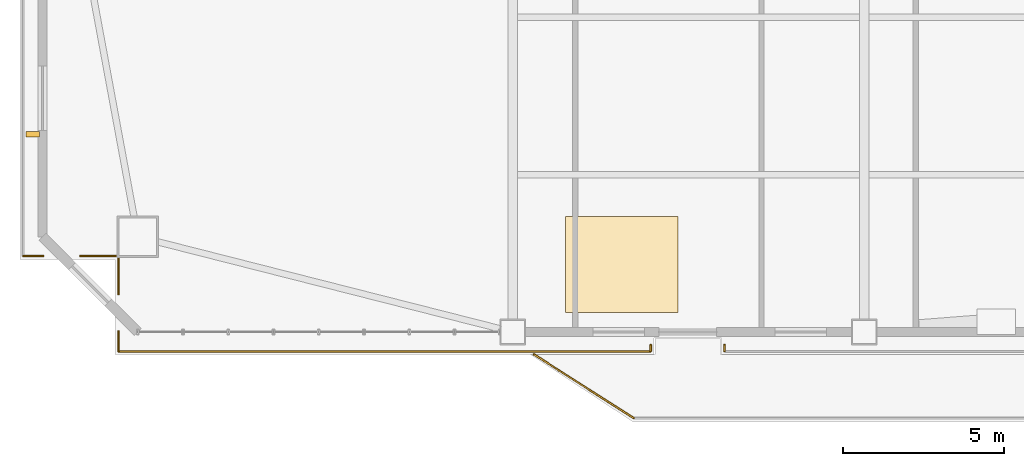
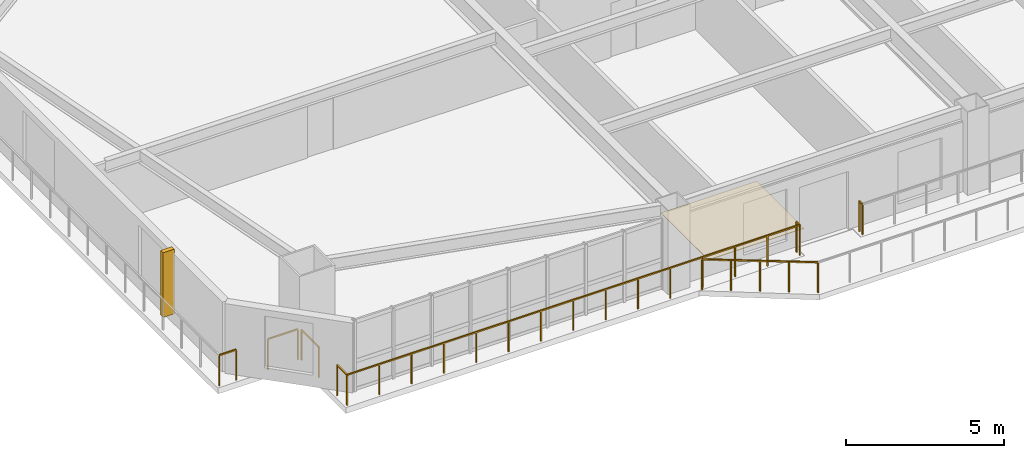
# One storey, part 13 of 17: 8 railings, 1 covering, 1 shading device.
"""IFC4 building model written with IfcOpenShell, lengths in metres."""

from ifc_helpers import new_model, si_unit, direction, frame, origin, origin_2d, place, context, subcontext, project, spatial, polyline, rectangle, outline, extrude, source, transform, mapped, material, layer, layer_set, type_object, element, save


model = new_model("IFC4")

# Units and contexts
model_context = context("Model", 3, precision=1e-05, world=origin(), true_north=direction((0.0, 1.0)))
body_context = subcontext(model_context, "Body", "Model", "MODEL_VIEW")
ifc_project = project(units=[si_unit("LENGTHUNIT", "METRE"), si_unit("AREAUNIT", "SQUARE_METRE"), si_unit("VOLUMEUNIT", "CUBIC_METRE"), si_unit("PLANEANGLEUNIT", "RADIAN"), si_unit("MASSUNIT", "GRAM", prefix="KILO")], contexts=[model_context])

# Site, building, storey
site_placement = place(None, origin())
site = spatial("IfcSite", under=ifc_project, at=site_placement, CompositionType="ELEMENT")
building_placement = place(site_placement, origin())
building = spatial("IfcBuilding", under=site, at=building_placement, Name="Giltprow Tower", CompositionType="ELEMENT")
storey_placement = place(building_placement, frame((0.0, 0.0, 141.199951171875)))
storey = spatial("IfcBuildingStorey", under=building, at=storey_placement, Name="L34", CompositionType="ELEMENT", Elevation=141.199951171875)

# Covering
ifc_material_1 = material(Name="Engineered oak", Category="wood")
ifc_layer = layer(ifc_material_1, 0.02490234375, Name="Engineered oak")
ifc_layer_set = layer_set([ifc_layer], Name="Engineered oak")
covering_type = type_object("IfcCoveringType", Name="COV-FLR-TIMBER", PredefinedType="FLOORING", material=ifc_layer_set)
covering_placement = place(storey_placement, origin())
element("IfcCovering", 1, at=covering_placement, inside=storey, type_object=covering_type, Name="L34 Engineered Oak Guestroom Flooring", PredefinedType="FLOORING", context=body_context, shape_type="SweptSolid", body=[
    extrude(outline(polyline([(21.5, 8.64501953125), (25.0, 8.64501953125), (25.0, 11.64501953125), (21.5, 11.64501953125), (21.5, 8.64501953125)])), origin(), (0.0, 0.0, 1.0), 0.025146484375),
])

# Railings
ifc_material_2 = material(Name="Anodized bronze", Category="metal")
railing_type = type_object("IfcRailingType", Name="RAIL-BALC-GUARD-1200", PredefinedType="BALUSTRADE", material=ifc_material_2)
railing_1_placement = place(storey_placement, frame((20.52001953125, 7.344970703125, 0.0)))
element("IfcRailing", 2, at=railing_1_placement, inside=storey, type_object=railing_type, Name="L34 Waterfront Balcony Balustrade Seg 1", PredefinedType="BALUSTRADE", context=body_context, shape_type="SweptSolid", body=[
    extrude(rectangle(XDim=0.048095703125, YDim=0.048095703125, at=origin_2d()), frame((0.0, 0.0, 1.17578125), z_axis=(0.84277487735, -0.538266203757, 0.0), x_axis=(0.538266203757, 0.84277487735, 0.0)), (0.0, 0.0, 1.0), 3.678466796875),
    extrude(rectangle(XDim=0.0419921875, YDim=0.0419921875, at=origin_2d()), origin(), (0.0, 0.0, 1.0), 1.15185546875),
    extrude(rectangle(XDim=0.0419921875, YDim=0.0419921875, at=origin_2d()), frame((0.77490234375, -0.4951171875, 0.0)), (0.0, 0.0, 1.0), 1.15185546875),
    extrude(rectangle(XDim=0.0419921875, YDim=0.0419921875, at=origin_2d()), frame((1.550048828125, -0.989990234375, 0.0)), (0.0, 0.0, 1.0), 1.15185546875),
    extrude(rectangle(XDim=0.0419921875, YDim=0.0419921875, at=origin_2d()), frame((2.3251953125, -1.48486328125, 0.0)), (0.0, 0.0, 1.0), 1.15185546875),
    extrude(rectangle(XDim=0.0419921875, YDim=0.0419921875, at=origin_2d()), frame((3.10009765625, -1.97998046875, 0.0)), (0.0, 0.0, 1.0), 1.15185546875),
])
railing_2_placement = place(storey_placement, frame((7.5791015625, 7.445068359375, 0.0)))
element("IfcRailing", 3, at=railing_2_placement, inside=storey, type_object=railing_type, Name="L34 Corner Apron Edge Balustrade 1", PredefinedType="BALUSTRADE", context=body_context, shape_type="SweptSolid", body=[
    extrude(rectangle(XDim=0.048095703125, YDim=0.048095703125, at=origin_2d()), frame((0.0, 0.0, 1.17578125), z_axis=(0.0, 1.0, 0.0), x_axis=(-1.0, 0.0, 0.0)), (0.0, 0.0, 1.0), 0.619873046875),
    extrude(rectangle(XDim=0.0419921875, YDim=0.0419921875, at=origin_2d()), origin(), (0.0, 0.0, 1.0), 1.15185546875),
    extrude(rectangle(XDim=0.0419921875, YDim=0.0419921875, at=origin_2d()), frame((0.0, 0.619873046875, 0.0)), (0.0, 0.0, 1.0), 1.15185546875),
])
railing_3_placement = place(storey_placement, frame((7.5791015625, 9.22509765625, 0.0)))
element("IfcRailing", 4, at=railing_3_placement, inside=storey, type_object=railing_type, Name="L34 Corner Apron Edge Balustrade 2", PredefinedType="BALUSTRADE", context=body_context, shape_type="SweptSolid", body=[
    extrude(rectangle(XDim=0.048095703125, YDim=0.048095703125, at=origin_2d()), frame((0.0, 0.0, 1.17578125), z_axis=(0.0, 1.0, 0.0), x_axis=(-1.0, 0.0, 0.0)), (0.0, 0.0, 1.0), 1.099853515625),
    extrude(rectangle(XDim=0.0419921875, YDim=0.0419921875, at=origin_2d()), origin(), (0.0, 0.0, 1.0), 1.15185546875),
    extrude(rectangle(XDim=0.0419921875, YDim=0.0419921875, at=origin_2d()), frame((0.0, 1.099853515625, 0.0)), (0.0, 0.0, 1.0), 1.15185546875),
])
railing_4_placement = place(storey_placement, frame((7.493896484375, 10.408935546875, 0.0)))
element("IfcRailing", 5, at=railing_4_placement, inside=storey, type_object=railing_type, Name="L34 Corner Apron Edge Balustrade 3", PredefinedType="BALUSTRADE", context=body_context, shape_type="SweptSolid", body=[
    extrude(rectangle(XDim=0.048095703125, YDim=0.048095703125, at=origin_2d()), frame((0.0, 0.0, 1.17578125), z_axis=(-1.0, 0.0, 0.0), x_axis=(0.0, -1.0, 0.0)), (0.0, 0.0, 1.0), 1.098876953125),
    extrude(rectangle(XDim=0.0419921875, YDim=0.0419921875, at=origin_2d()), origin(), (0.0, 0.0, 1.0), 1.15185546875),
    extrude(rectangle(XDim=0.0419921875, YDim=0.0419921875, at=origin_2d()), frame((-1.098876953125, 0.0, 0.0)), (0.0, 0.0, 1.0), 1.15185546875),
])
railing_5_placement = place(storey_placement, frame((5.235107421875, 10.408935546875, 0.0)))
element("IfcRailing", 6, at=railing_5_placement, inside=storey, type_object=railing_type, Name="L34 Corner Apron Edge Balustrade 4", PredefinedType="BALUSTRADE", context=body_context, shape_type="SweptSolid", body=[
    extrude(rectangle(XDim=0.048095703125, YDim=0.048095703125, at=origin_2d()), frame((0.0, 0.0, 1.17578125), z_axis=(-1.0, 0.0, 0.0), x_axis=(0.0, -1.0, 0.0)), (0.0, 0.0, 1.0), 0.62109375),
    extrude(rectangle(XDim=0.0419921875, YDim=0.0419921875, at=origin_2d()), origin(), (0.0, 0.0, 1.0), 1.15185546875),
    extrude(rectangle(XDim=0.0419921875, YDim=0.0419921875, at=origin_2d()), frame((-0.62109375, 0.0, 0.0)), (0.0, 0.0, 1.0), 1.15185546875),
])
railing_6_placement = place(storey_placement, frame((26.449951171875, 7.445068359375, 0.0)))
element("IfcRailing", 7, at=railing_6_placement, inside=storey, type_object=railing_type, Name="L34 Corner Apron Edge Balustrade 23", PredefinedType="BALUSTRADE", context=body_context, shape_type="SweptSolid", body=[
    extrude(rectangle(XDim=0.048095703125, YDim=0.048095703125, at=origin_2d()), frame((0.0, 0.0, 1.17578125), z_axis=(0.0, 1.0, 0.0), x_axis=(-1.0, 0.0, 0.0)), (0.0, 0.0, 1.0), 0.199951171875),
    extrude(rectangle(XDim=0.0419921875, YDim=0.0419921875, at=origin_2d()), origin(), (0.0, 0.0, 1.0), 1.15185546875),
    extrude(rectangle(XDim=0.0419921875, YDim=0.0419921875, at=origin_2d()), frame((0.0, 0.199951171875, 0.0)), (0.0, 0.0, 1.0), 1.15185546875),
])
railing_7_placement = place(storey_placement, frame((24.14990234375, 7.64501953125, 0.0)))
element("IfcRailing", 8, at=railing_7_placement, inside=storey, type_object=railing_type, Name="L34 Corner Apron Edge Balustrade 24", PredefinedType="BALUSTRADE", context=body_context, shape_type="SweptSolid", body=[
    extrude(rectangle(XDim=0.048095703125, YDim=0.048095703125, at=origin_2d()), frame((0.0, 0.0, 1.17578125), z_axis=(0.0, -1.0, 0.0), x_axis=(1.0, 0.0, 0.0)), (0.0, 0.0, 1.0), 0.199951171875),
    extrude(rectangle(XDim=0.0419921875, YDim=0.0419921875, at=origin_2d()), origin(), (0.0, 0.0, 1.0), 1.15185546875),
    extrude(rectangle(XDim=0.0419921875, YDim=0.0419921875, at=origin_2d()), frame((0.0, -0.199951171875, 0.0)), (0.0, 0.0, 1.0), 1.15185546875),
])
railing_8_placement = place(storey_placement, frame((24.14990234375, 7.445068359375, 0.0)))
element("IfcRailing", 9, at=railing_8_placement, inside=storey, type_object=railing_type, Name="L34 Corner Apron Edge Balustrade 25", PredefinedType="BALUSTRADE", context=body_context, shape_type="SweptSolid", body=[
    extrude(rectangle(XDim=0.048095703125, YDim=0.048095703125, at=origin_2d()), frame((0.0, 0.0, 1.17578125), z_axis=(-1.0, 0.0, 0.0), x_axis=(0.0, -1.0, 0.0)), (0.0, 0.0, 1.0), 16.57080078125),
    extrude(rectangle(XDim=0.0419921875, YDim=0.0419921875, at=origin_2d()), origin(), (0.0, 0.0, 1.0), 1.15185546875),
    extrude(rectangle(XDim=0.0419921875, YDim=0.0419921875, at=origin_2d()), frame((-1.18359375, 0.0, 0.0)), (0.0, 0.0, 1.0), 1.15185546875),
    extrude(rectangle(XDim=0.0419921875, YDim=0.0419921875, at=origin_2d()), frame((-2.3671875, 0.0, 0.0)), (0.0, 0.0, 1.0), 1.15185546875),
    extrude(rectangle(XDim=0.0419921875, YDim=0.0419921875, at=origin_2d()), frame((-3.55078125, 0.0, 0.0)), (0.0, 0.0, 1.0), 1.15185546875),
    extrude(rectangle(XDim=0.0419921875, YDim=0.0419921875, at=origin_2d()), frame((-4.734619140625, 0.0, 0.0)), (0.0, 0.0, 1.0), 1.15185546875),
    extrude(rectangle(XDim=0.0419921875, YDim=0.0419921875, at=origin_2d()), frame((-5.918212890625, 0.0, 0.0)), (0.0, 0.0, 1.0), 1.15185546875),
    extrude(rectangle(XDim=0.0419921875, YDim=0.0419921875, at=origin_2d()), frame((-7.101806640625, 0.0, 0.0)), (0.0, 0.0, 1.0), 1.15185546875),
    extrude(rectangle(XDim=0.0419921875, YDim=0.0419921875, at=origin_2d()), frame((-8.285400390625, 0.0, 0.0)), (0.0, 0.0, 1.0), 1.15185546875),
    extrude(rectangle(XDim=0.0419921875, YDim=0.0419921875, at=origin_2d()), frame((-9.468994140625, 0.0, 0.0)), (0.0, 0.0, 1.0), 1.15185546875),
    extrude(rectangle(XDim=0.0419921875, YDim=0.0419921875, at=origin_2d()), frame((-10.652587890625, 0.0, 0.0)), (0.0, 0.0, 1.0), 1.15185546875),
    extrude(rectangle(XDim=0.0419921875, YDim=0.0419921875, at=origin_2d()), frame((-11.836181640625, 0.0, 0.0)), (0.0, 0.0, 1.0), 1.15185546875),
    extrude(rectangle(XDim=0.0419921875, YDim=0.0419921875, at=origin_2d()), frame((-13.02001953125, 0.0, 0.0)), (0.0, 0.0, 1.0), 1.15185546875),
    extrude(rectangle(XDim=0.0419921875, YDim=0.0419921875, at=origin_2d()), frame((-14.20361328125, 0.0, 0.0)), (0.0, 0.0, 1.0), 1.15185546875),
    extrude(rectangle(XDim=0.0419921875, YDim=0.0419921875, at=origin_2d()), frame((-15.38720703125, 0.0, 0.0)), (0.0, 0.0, 1.0), 1.15185546875),
    extrude(rectangle(XDim=0.0419921875, YDim=0.0419921875, at=origin_2d()), frame((-16.57080078125, 0.0, 0.0)), (0.0, 0.0, 1.0), 1.15185546875),
])

# Shading device
shading_device_type = type_object("IfcShadingDeviceType", Name="SHD-FIN-420", PredefinedType="USERDEFINED", material=ifc_material_2)
shared_shape = source(origin(), body_context, "Body", "SweptSolid", [
    extrude(rectangle(XDim=0.419921875, YDim=0.159912109375, at=origin_2d()), origin(), (0.0, 0.0, 1.0), 2.5),
])
shading_device_placement = place(storey_placement, frame((4.9140625, 14.201904296875, 0.35009765625), z_axis=(0.0, 0.0, 1.0), x_axis=(1.0, 0.0, 0.0)))
element("IfcShadingDevice", 10, at=shading_device_placement, inside=storey, type_object=shading_device_type, Name="L34 W Bronze Vertical Fin 1-1", ObjectType="FIN", PredefinedType="USERDEFINED", context=body_context, shape_type="MappedRepresentation", body=[
    mapped(shared_shape, transform((0.0, 0.0, 0.0), x_axis=(1.0, 0.0, 0.0), y_axis=(0.0, 1.0, 0.0), z_axis=(0.0, 0.0, 1.0), scale=1.0)),
])

save(model, "model.ifc")
